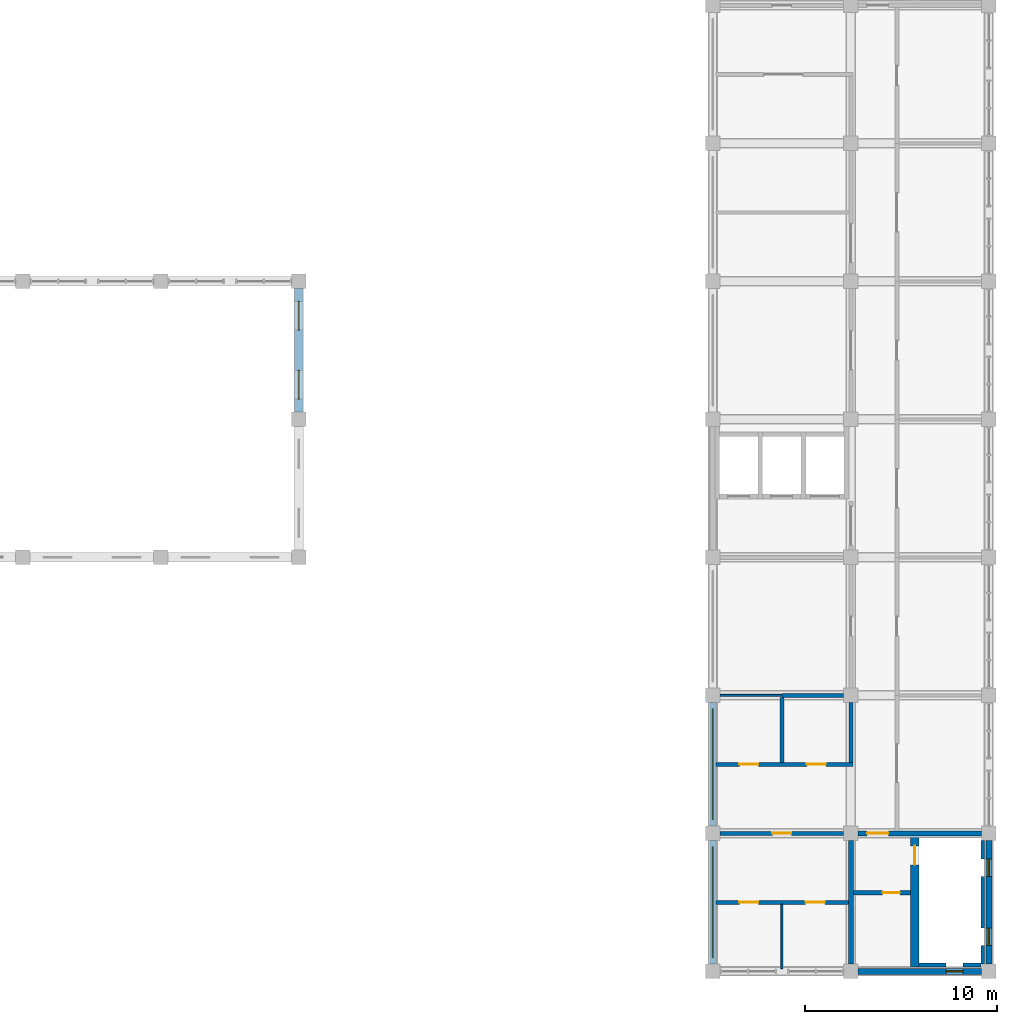
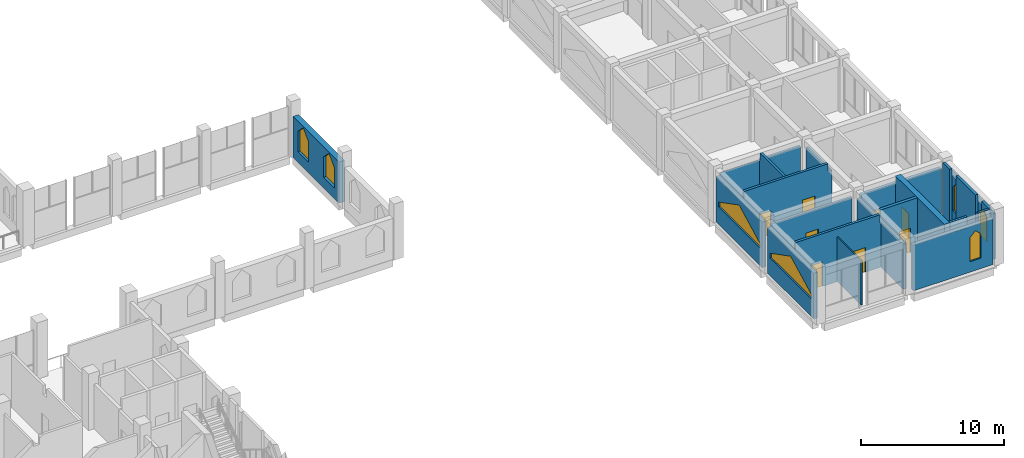
# One storey, part 33 of 39: 22 walls, 8 doors, 7 windows, 15 openings.
"""IFC4 building model written with IfcOpenShell, lengths in metres."""

from ifc_helpers import new_model, si_unit, direction, frame, frame_2d, origin, place, context, subcontext, project, spatial, polyline, rectangle, outline, extrude, material, layer, layer_set, type_object, element, fill, save


model = new_model("IFC4")

# Units and contexts
model_context = context("Model", 3, precision=1e-05, world=origin(), true_north=direction((0.0, 1.0)))
body_context = subcontext(model_context, "Body", "Model", "MODEL_VIEW")
ifc_project = project(units=[si_unit("LENGTHUNIT", "METRE"), si_unit("AREAUNIT", "SQUARE_METRE"), si_unit("VOLUMEUNIT", "CUBIC_METRE"), si_unit("PLANEANGLEUNIT", "RADIAN"), si_unit("MASSUNIT", "GRAM", prefix="KILO")], contexts=[model_context])

# Site, building, storey
site_placement = place(None, origin())
site = spatial("IfcSite", under=ifc_project, at=site_placement, CompositionType="ELEMENT")
building_placement = place(site_placement, origin())
building = spatial("IfcBuilding", under=site, at=building_placement, Name="Silangan Lancet Faculty of Sciences", CompositionType="ELEMENT")
storey_placement = place(building_placement, frame((0.0, 0.0, 26.39990234375)))
storey = spatial("IfcBuildingStorey", under=building, at=storey_placement, Name="L05", CompositionType="ELEMENT", Elevation=26.39990234375)

# Wall, opening, window
ifc_material_1 = material(Name="Concrete C40/50 precast", Category="concrete")
ifc_layer_1 = layer(ifc_material_1, 0.300048828125)
ifc_layer_set_1 = layer_set([ifc_layer_1], Name="Concrete C40/50 precast")
wall_type_1 = type_object("IfcWallType", Name="EW2 Turret enclosure wall", PredefinedType="STANDARD", material=ifc_layer_set_1)
wall_1_placement = place(storey_placement, frame((79.574951171875, 0.0, 0.0), z_axis=(0.0, 0.0, 1.0), x_axis=(1.0, 0.0, 0.0)))
wall_1 = element("IfcWall", 1, at=wall_1_placement, inside=storey, type_object=wall_type_1, Name="EW-L05-S-EB-01", PredefinedType="STANDARD", context=body_context, shape_type="SweptSolid", body=[
    extrude(rectangle(XDim=6.449951171875, YDim=0.300048828125, at=frame_2d((3.22509765625, 0.0))), origin(), (0.0, 0.0, 1.0), 3.900146484375),
])
opening_1_placement = place(wall_1_placement, frame((4.574951171875, 0.0, 0.89990234375)))
opening_1 = element("IfcOpeningElement", 2, at=opening_1_placement, cuts=wall_1, Name="Opening W11", PredefinedType="OPENING", context=body_context, shape_type="SweptSolid", body=[
    extrude(outline(polyline([(0.0, 0.0), (0.89990234375, 0.0), (0.89990234375, 2.050048828125), (0.449951171875, 2.5), (0.0, 2.050048828125), (0.0, 0.0)])), frame((0.0, 0.159912109375, 0.0), z_axis=(0.0, -1.0, 0.0), x_axis=(1.0, 0.0, 0.0)), (0.0, 0.0, 1.0), 0.320068359375),
])
ifc_material_2 = material(Name="Aluminium frame, laminated double glazing", Category="aluminium")
window_type_1 = type_object("IfcWindowType", Name="W11 Lancet window 900 x 2500", PartitioningType="SINGLE_PANEL", PredefinedType="WINDOW", material=ifc_material_2)
window_1_placement = place(opening_1_placement, origin())
window_1 = element("IfcWindow", 3, at=window_1_placement, inside=storey, type_object=window_type_1, Name="WIN-L05-S-EB-01b", OverallHeight=2.5, OverallWidth=0.89990234375, PartitioningType="SINGLE_PANEL", PredefinedType="WINDOW", context=body_context, shape_type="SweptSolid", body=[
    extrude(outline(polyline([(0.0, 0.0), (0.89990234375, 0.0), (0.89990234375, 2.050048828125), (0.449951171875, 2.5), (0.0, 2.050048828125), (0.0, 0.0)])), frame((0.0, 0.030029296875, 0.0), z_axis=(0.0, -1.0, 0.0), x_axis=(1.0, 0.0, 0.0)), (0.0, 0.0, 1.0), 0.06005859375),
])
fill(opening_1, window_1)

# Wall, openings, windows
wall_2_placement = place(storey_placement, frame((86.39990234375, 0.375, 0.0), z_axis=(0.0, 0.0, 1.0), x_axis=(0.0, 1.0, 0.0)))
wall_2 = element("IfcWall", 4, at=wall_2_placement, inside=storey, type_object=wall_type_1, Name="EW-L05-E-EB-00", PredefinedType="STANDARD", context=body_context, shape_type="SweptSolid", body=[
    extrude(rectangle(XDim=6.449951171875, YDim=0.300048828125, at=frame_2d((3.22509765625, 0.0))), origin(), (0.0, 0.0, 1.0), 3.900146484375),
])
opening_2_placement = place(wall_2_placement, frame((0.97509765625, 0.0, 0.89990234375)))
opening_2 = element("IfcOpeningElement", 5, at=opening_2_placement, cuts=wall_2, Name="Opening W11", PredefinedType="OPENING", context=body_context, shape_type="SweptSolid", body=[
    extrude(outline(polyline([(0.0, 0.0), (0.89990234375, 0.0), (0.89990234375, 2.050048828125), (0.449951171875, 2.5), (0.0, 2.050048828125), (0.0, 0.0)])), frame((0.0, 0.159912109375, 0.0), z_axis=(0.0, -1.0, 0.0), x_axis=(1.0, 0.0, 0.0)), (0.0, 0.0, 1.0), 0.320068359375),
])
opening_3_placement = place(wall_2_placement, frame((4.574951171875, 0.0, 0.89990234375)))
opening_3 = element("IfcOpeningElement", 6, at=opening_3_placement, cuts=wall_2, Name="Opening W11", PredefinedType="OPENING", context=body_context, shape_type="SweptSolid", body=[
    extrude(outline(polyline([(0.0, 0.0), (0.89990234375, 0.0), (0.89990234375, 2.050048828125), (0.449951171875, 2.5), (0.0, 2.050048828125), (0.0, 0.0)])), frame((0.0, 0.159912109375, 0.0), z_axis=(0.0, -1.0, 0.0), x_axis=(1.0, 0.0, 0.0)), (0.0, 0.0, 1.0), 0.320068359375),
])
window_2_placement = place(opening_2_placement, origin())
window_2 = element("IfcWindow", 7, at=window_2_placement, inside=storey, type_object=window_type_1, Name="WIN-L05-E-EB-00a", OverallHeight=2.5, OverallWidth=0.89990234375, PartitioningType="SINGLE_PANEL", PredefinedType="WINDOW", context=body_context, shape_type="SweptSolid", body=[
    extrude(outline(polyline([(0.0, 0.0), (0.89990234375, 0.0), (0.89990234375, 2.050048828125), (0.449951171875, 2.5), (0.0, 2.050048828125), (0.0, 0.0)])), frame((0.0, 0.030029296875, 0.0), z_axis=(0.0, -1.0, 0.0), x_axis=(1.0, 0.0, 0.0)), (0.0, 0.0, 1.0), 0.06005859375),
])
fill(opening_2, window_2)
window_3_placement = place(opening_3_placement, origin())
window_3 = element("IfcWindow", 8, at=window_3_placement, inside=storey, type_object=window_type_1, Name="WIN-L05-E-EB-00b", OverallHeight=2.5, OverallWidth=0.89990234375, PartitioningType="SINGLE_PANEL", PredefinedType="WINDOW", context=body_context, shape_type="SweptSolid", body=[
    extrude(outline(polyline([(0.0, 0.0), (0.89990234375, 0.0), (0.89990234375, 2.050048828125), (0.449951171875, 2.5), (0.0, 2.050048828125), (0.0, 0.0)])), frame((0.0, 0.030029296875, 0.0), z_axis=(0.0, -1.0, 0.0), x_axis=(1.0, 0.0, 0.0)), (0.0, 0.0, 1.0), 0.06005859375),
])
fill(opening_3, window_3)

# Wall, opening, window
ifc_material_3 = material(Name="Concrete C40/50", Category="concrete")
ifc_layer_2 = layer(ifc_material_3, 0.300048828125)
ifc_layer_set_2 = layer_set([ifc_layer_2], Name="Concrete C40/50")
wall_type_2 = type_object("IfcWallType", Name="EW7 Rendered attic wall", PredefinedType="STANDARD", material=ifc_layer_set_2)
wall_3_placement = place(storey_placement, frame((72.0, 0.375, 0.0), z_axis=(0.0, 0.0, 1.0), x_axis=(0.0, 1.0, 0.0)))
wall_3 = element("IfcWall", 9, at=wall_3_placement, inside=storey, type_object=wall_type_2, Name="EW-L05-W-EB-00", PredefinedType="STANDARD", context=body_context, shape_type="SweptSolid", body=[
    extrude(rectangle(XDim=6.449951171875, YDim=0.300048828125, at=frame_2d((3.22509765625, 0.0))), origin(), (0.0, 0.0, 1.0), 3.900146484375),
])
opening_4_placement = place(wall_3_placement, frame((0.324951171875, 0.0, 1.5)))
opening_4 = element("IfcOpeningElement", 10, at=opening_4_placement, cuts=wall_3, Name="Opening W16", PredefinedType="OPENING", context=body_context, shape_type="SweptSolid", body=[
    extrude(outline(polyline([(0.0, 0.0), (5.800048828125, 0.0), (5.800048828125, 0.39990234375), (2.89990234375, 1.89990234375), (0.0, 0.39990234375), (0.0, 0.0)])), frame((0.0, 0.159912109375, 0.0), z_axis=(0.0, -1.0, 0.0), x_axis=(1.0, 0.0, 0.0)), (0.0, 0.0, 1.0), 0.320068359375),
])
ifc_material_4 = material(Name="Aluminium frame, laminated double glazing", Category="aluminium")
window_type_2 = type_object("IfcWindowType", Name="W16 Traceried bay window 5800 x 1900 on a 1500 sill", PartitioningType="TRIPLE_PANEL_VERTICAL", PredefinedType="WINDOW", material=ifc_material_4)
window_4_placement = place(opening_4_placement, origin())
window_4 = element("IfcWindow", 11, at=window_4_placement, inside=storey, type_object=window_type_2, Name="WIN-L05-W-EB-00a", OverallHeight=1.89990234375, OverallWidth=5.800048828125, PartitioningType="TRIPLE_PANEL_VERTICAL", PredefinedType="WINDOW", context=body_context, shape_type="SweptSolid", body=[
    extrude(outline(polyline([(0.0, 0.0), (5.800048828125, 0.0), (5.800048828125, 0.39990234375), (2.89990234375, 1.89990234375), (0.0, 0.39990234375), (0.0, 0.0)])), frame((0.0, 0.030029296875, 0.0), z_axis=(0.0, -1.0, 0.0), x_axis=(1.0, 0.0, 0.0)), (0.0, 0.0, 1.0), 0.06005859375),
])
fill(opening_4, window_4)

wall_4_placement = place(storey_placement, frame((72.0, 7.574951171875, 0.0), z_axis=(0.0, 0.0, 1.0), x_axis=(0.0, 1.0, 0.0)))
wall_4 = element("IfcWall", 12, at=wall_4_placement, inside=storey, type_object=wall_type_2, Name="EW-L05-W-EB-01", PredefinedType="STANDARD", context=body_context, shape_type="SweptSolid", body=[
    extrude(rectangle(XDim=6.449951171875, YDim=0.300048828125, at=frame_2d((3.22509765625, 0.0))), origin(), (0.0, 0.0, 1.0), 3.900146484375),
])
opening_5_placement = place(wall_4_placement, frame((0.324951171875, 0.0, 1.5)))
opening_5 = element("IfcOpeningElement", 13, at=opening_5_placement, cuts=wall_4, Name="Opening W16", PredefinedType="OPENING", context=body_context, shape_type="SweptSolid", body=[
    extrude(outline(polyline([(0.0, 0.0), (5.800048828125, 0.0), (5.800048828125, 0.39990234375), (2.89990234375, 1.89990234375), (0.0, 0.39990234375), (0.0, 0.0)])), frame((0.0, 0.159912109375, 0.0), z_axis=(0.0, -1.0, 0.0), x_axis=(1.0, 0.0, 0.0)), (0.0, 0.0, 1.0), 0.320068359375),
])
window_5_placement = place(opening_5_placement, origin())
window_5 = element("IfcWindow", 14, at=window_5_placement, inside=storey, type_object=window_type_2, Name="WIN-L05-W-EB-01a", OverallHeight=1.89990234375, OverallWidth=5.800048828125, PartitioningType="TRIPLE_PANEL_VERTICAL", PredefinedType="WINDOW", context=body_context, shape_type="SweptSolid", body=[
    extrude(outline(polyline([(0.0, 0.0), (5.800048828125, 0.0), (5.800048828125, 0.39990234375), (2.89990234375, 1.89990234375), (0.0, 0.39990234375), (0.0, 0.0)])), frame((0.0, 0.030029296875, 0.0), z_axis=(0.0, -1.0, 0.0), x_axis=(1.0, 0.0, 0.0)), (0.0, 0.0, 1.0), 0.06005859375),
])
fill(opening_5, window_5)

# Wall, openings, windows
ifc_material_5 = material(Name="Concrete C40/50", Category="concrete")
ifc_layer_3 = layer(ifc_material_5, 0.449951171875)
ifc_layer_set_3 = layer_set([ifc_layer_3], Name="Concrete C40/50")
wall_type_3 = type_object("IfcWallType", Name="EW8 Clerestory wall with deep reveals", PredefinedType="STANDARD", material=ifc_layer_set_3)
wall_5_placement = place(storey_placement, frame((50.39990234375, 29.175048828125, 0.0), z_axis=(0.0, 0.0, 1.0), x_axis=(0.0, 1.0, 0.0)))
wall_5 = element("IfcWall", 15, at=wall_5_placement, inside=storey, type_object=wall_type_3, Name="EW-L05-E-NAVE-01", PredefinedType="STANDARD", context=body_context, shape_type="SweptSolid", body=[
    extrude(rectangle(XDim=6.449951171875, YDim=0.449951171875, at=frame_2d((3.22509765625, 0.0))), origin(), (0.0, 0.0, 1.0), 3.5),
])
opening_6_placement = place(wall_5_placement, frame((0.675048828125, 0.0, 0.89990234375)))
opening_6 = element("IfcOpeningElement", 16, at=opening_6_placement, cuts=wall_5, Name="Opening W12", PredefinedType="OPENING", context=body_context, shape_type="SweptSolid", body=[
    extrude(outline(polyline([(0.0, 0.0), (1.5, 0.0), (1.5, 1.75), (0.75, 2.5), (0.0, 1.75), (0.0, 0.0)])), frame((0.0, 0.23486328125, 0.0), z_axis=(0.0, -1.0, 0.0), x_axis=(1.0, 0.0, 0.0)), (0.0, 0.0, 1.0), 0.469970703125),
])
opening_7_placement = place(wall_5_placement, frame((4.27490234375, 0.0, 0.89990234375)))
opening_7 = element("IfcOpeningElement", 17, at=opening_7_placement, cuts=wall_5, Name="Opening W13", PredefinedType="OPENING", context=body_context, shape_type="SweptSolid", body=[
    extrude(outline(polyline([(0.0, 0.0), (1.5, 0.0), (1.5, 1.75), (0.75, 2.5), (0.0, 1.75), (0.0, 0.0)])), frame((0.0, 0.23486328125, 0.0), z_axis=(0.0, -1.0, 0.0), x_axis=(1.0, 0.0, 0.0)), (0.0, 0.0, 1.0), 0.469970703125),
])
ifc_material_6 = material(Name="Aluminium frame, laminated double glazing", Category="aluminium")
window_type_3 = type_object("IfcWindowType", Name="W12 Lancet window 1500 x 2500", PartitioningType="SINGLE_PANEL", PredefinedType="WINDOW", material=ifc_material_6)
window_6_placement = place(opening_6_placement, origin())
window_6 = element("IfcWindow", 18, at=window_6_placement, inside=storey, type_object=window_type_3, Name="WIN-L05-E-NAVE-01a", OverallHeight=2.5, OverallWidth=1.5, PartitioningType="SINGLE_PANEL", PredefinedType="WINDOW", context=body_context, shape_type="SweptSolid", body=[
    extrude(outline(polyline([(0.0, 0.0), (1.5, 0.0), (1.5, 1.75), (0.75, 2.5), (0.0, 1.75), (0.0, 0.0)])), frame((0.0, 0.030029296875, 0.0), z_axis=(0.0, -1.0, 0.0), x_axis=(1.0, 0.0, 0.0)), (0.0, 0.0, 1.0), 0.06005859375),
])
fill(opening_6, window_6)
ifc_material_7 = material(Name="Aluminium storm louvre blades", Category="aluminium")
window_type_4 = type_object("IfcWindowType", Name="W13 Storm louvre lancet 1500 x 2500", PartitioningType="SINGLE_PANEL", PredefinedType="WINDOW", material=ifc_material_7)
window_7_placement = place(opening_7_placement, origin())
window_7 = element("IfcWindow", 19, at=window_7_placement, inside=storey, type_object=window_type_4, Name="WIN-L05-E-NAVE-01b", OverallHeight=2.5, OverallWidth=1.5, PartitioningType="SINGLE_PANEL", PredefinedType="WINDOW", context=body_context, shape_type="SweptSolid", body=[
    extrude(outline(polyline([(0.0, 0.0), (1.5, 0.0), (1.5, 1.75), (0.75, 2.5), (0.0, 1.75), (0.0, 0.0)])), frame((0.0, 0.030029296875, 0.0), z_axis=(0.0, -1.0, 0.0), x_axis=(1.0, 0.0, 0.0)), (0.0, 0.0, 1.0), 0.06005859375),
])
fill(opening_7, window_7)

# Wall, openings, doors
ifc_material_8 = material(Name="Hollow block masonry fm 7 MPa", Category="masonry")
ifc_layer_4 = layer(ifc_material_8, 0.199951171875)
ifc_layer_set_4 = layer_set([ifc_layer_4], Name="Hollow block masonry fm 7 MPa")
wall_type_4 = type_object("IfcWallType", Name="Interior wall PW1 Corridor wall CHB 200", PredefinedType="PARTITIONING", material=ifc_layer_set_4)
wall_6_placement = place(storey_placement, frame((72.14990234375, 3.60009765625, 0.0), z_axis=(0.0, 0.0, 1.0), x_axis=(1.0, 0.0, 0.0)))
wall_6 = element("IfcWall", 20, at=wall_6_placement, inside=storey, type_object=wall_type_4, Name="Corridor wall CHB 200", PredefinedType="PARTITIONING", context=body_context, shape_type="SweptSolid", body=[
    extrude(outline(polyline([(0.0, 0.0), (6.925048828125, 0.0), (6.925048828125, 3.85009765625), (6.8251953125, 3.85009765625), (6.8251953125, 4.5), (0.050048828125, 4.5), (0.050048828125, 3.900146484375), (0.0, 3.900146484375), (0.0, 0.0)])), frame((0.0, 0.10009765625, 0.0), z_axis=(0.0, -1.0, 0.0), x_axis=(1.0, 0.0, 0.0)), (0.0, 0.0, 1.0), 0.199951171875),
])
opening_8_placement = place(wall_6_placement, frame((1.22509765625, 0.0, 0.0)))
opening_8 = element("IfcOpeningElement", 21, at=opening_8_placement, cuts=wall_6, Name="Opening L05-033", PredefinedType="OPENING", context=body_context, shape_type="SweptSolid", body=[
    extrude(rectangle(XDim=1.0, YDim=2.10009765625, at=frame_2d((0.5, 1.050048828125))), frame((0.0, 0.10986328125, 0.0), z_axis=(0.0, -1.0, 0.0), x_axis=(1.0, 0.0, 0.0)), (0.0, 0.0, 1.0), 0.219970703125),
])
opening_9_placement = place(wall_6_placement, frame((4.6875, 0.0, 0.0)))
opening_9 = element("IfcOpeningElement", 22, at=opening_9_placement, cuts=wall_6, Name="Opening L05-034", PredefinedType="OPENING", context=body_context, shape_type="SweptSolid", body=[
    extrude(rectangle(XDim=1.0, YDim=2.10009765625, at=frame_2d((0.5, 1.050048828125))), frame((0.0, 0.10986328125, 0.0), z_axis=(0.0, -1.0, 0.0), x_axis=(1.0, 0.0, 0.0)), (0.0, 0.0, 1.0), 0.219970703125),
])
ifc_material_9 = material(Name="Steel fire door set", Category="steel")
door_type_1 = type_object("IfcDoorType", Name="Door D1 Single leaf fire door 1000 x 2100", OperationType="SINGLE_SWING_LEFT", PredefinedType="DOOR", material=ifc_material_9)
door_1_placement = place(opening_8_placement, frame((1.0, 0.0, 0.0), z_axis=(0.0, 0.0, 1.0), x_axis=(-1.0, 0.0, 0.0)))
door_1 = element("IfcDoor", 23, at=door_1_placement, inside=storey, type_object=door_type_1, Name="Single leaf fire door 1000 x 2100", OperationType="SINGLE_SWING_LEFT", OverallHeight=2.10009765625, OverallWidth=1.0, PredefinedType="DOOR", context=body_context, shape_type="SweptSolid", body=[
    extrude(rectangle(XDim=1.0, YDim=2.10009765625, at=frame_2d((0.5, 1.050048828125))), frame((0.0, 0.025146484375, 0.0), z_axis=(0.0, -1.0, 0.0), x_axis=(1.0, 0.0, 0.0)), (0.0, 0.0, 1.0), 0.050048828125),
])
fill(opening_8, door_1)
door_2_placement = place(opening_9_placement, frame((1.0, 0.0, 0.0), z_axis=(0.0, 0.0, 1.0), x_axis=(-1.0, 0.0, 0.0)))
door_2 = element("IfcDoor", 24, at=door_2_placement, inside=storey, type_object=door_type_1, Name="Single leaf fire door 1000 x 2100", OperationType="SINGLE_SWING_RIGHT", OverallHeight=2.10009765625, OverallWidth=1.0, PredefinedType="DOOR", context=body_context, shape_type="SweptSolid", body=[
    extrude(rectangle(XDim=1.0, YDim=2.10009765625, at=frame_2d((0.5, 1.050048828125))), frame((0.0, 0.025146484375, 0.0), z_axis=(0.0, -1.0, 0.0), x_axis=(1.0, 0.0, 0.0)), (0.0, 0.0, 1.0), 0.050048828125),
])
fill(opening_9, door_2)

# Wall, opening, door
wall_7_placement = place(storey_placement, frame((72.375, 7.199951171875, 0.0), z_axis=(0.0, 0.0, 1.0), x_axis=(1.0, 0.0, 0.0)))
wall_7 = element("IfcWall", 25, at=wall_7_placement, inside=storey, type_object=wall_type_4, Name="Corridor wall CHB 200", PredefinedType="PARTITIONING", context=body_context, shape_type="SweptSolid", body=[
    extrude(rectangle(XDim=6.449951171875, YDim=0.199951171875, at=frame_2d((3.22509765625, 0.0))), origin(), (0.0, 0.0, 1.0), 3.85009765625),
])
opening_10_placement = place(wall_7_placement, frame((2.72509765625, 0.0, 0.0)))
opening_10 = element("IfcOpeningElement", 26, at=opening_10_placement, cuts=wall_7, Name="Opening L05-008", PredefinedType="OPENING", context=body_context, shape_type="SweptSolid", body=[
    extrude(rectangle(XDim=1.0, YDim=2.10009765625, at=frame_2d((0.5, 1.050048828125))), frame((0.0, 0.10986328125, 0.0), z_axis=(0.0, -1.0, 0.0), x_axis=(1.0, 0.0, 0.0)), (0.0, 0.0, 1.0), 0.219970703125),
])
door_3_placement = place(opening_10_placement, frame((1.0, 0.0, 0.0), z_axis=(0.0, 0.0, 1.0), x_axis=(-1.0, 0.0, 0.0)))
door_3 = element("IfcDoor", 27, at=door_3_placement, inside=storey, type_object=door_type_1, Name="Single leaf fire door 1000 x 2100", OperationType="SINGLE_SWING_RIGHT", OverallHeight=2.10009765625, OverallWidth=1.0, PredefinedType="DOOR", context=body_context, shape_type="SweptSolid", body=[
    extrude(rectangle(XDim=1.0, YDim=2.10009765625, at=frame_2d((0.5, 1.050048828125))), frame((0.0, 0.025146484375, 0.0), z_axis=(0.0, -1.0, 0.0), x_axis=(1.0, 0.0, 0.0)), (0.0, 0.0, 1.0), 0.050048828125),
])
fill(opening_10, door_3)

# Wall, openings, doors
wall_8_placement = place(storey_placement, frame((72.14990234375, 10.800048828125, 0.0), z_axis=(0.0, 0.0, 1.0), x_axis=(1.0, 0.0, 0.0)))
wall_8 = element("IfcWall", 28, at=wall_8_placement, inside=storey, type_object=wall_type_4, Name="Corridor wall CHB 200", PredefinedType="PARTITIONING", context=body_context, shape_type="SweptSolid", body=[
    extrude(outline(polyline([(0.0, 0.0), (7.150146484375, 0.0), (7.150146484375, 3.85009765625), (6.8251953125, 3.85009765625), (6.8251953125, 4.5), (0.050048828125, 4.5), (0.050048828125, 3.900146484375), (0.0, 3.900146484375), (0.0, 0.0)])), frame((0.0, 0.10009765625, 0.0), z_axis=(0.0, -1.0, 0.0), x_axis=(1.0, 0.0, 0.0)), (0.0, 0.0, 1.0), 0.199951171875),
])
opening_11_placement = place(wall_8_placement, frame((1.22509765625, 0.0, 0.0)))
opening_11 = element("IfcOpeningElement", 29, at=opening_11_placement, cuts=wall_8, Name="Opening L05-035", PredefinedType="OPENING", context=body_context, shape_type="SweptSolid", body=[
    extrude(rectangle(XDim=1.0, YDim=2.10009765625, at=frame_2d((0.5, 1.050048828125))), frame((0.0, 0.10986328125, 0.0), z_axis=(0.0, -1.0, 0.0), x_axis=(1.0, 0.0, 0.0)), (0.0, 0.0, 1.0), 0.219970703125),
])
opening_12_placement = place(wall_8_placement, frame((4.75, 0.0, 0.0)))
opening_12 = element("IfcOpeningElement", 30, at=opening_12_placement, cuts=wall_8, Name="Opening L05-036", PredefinedType="OPENING", context=body_context, shape_type="SweptSolid", body=[
    extrude(rectangle(XDim=1.0, YDim=2.10009765625, at=frame_2d((0.5, 1.050048828125))), frame((0.0, 0.10986328125, 0.0), z_axis=(0.0, -1.0, 0.0), x_axis=(1.0, 0.0, 0.0)), (0.0, 0.0, 1.0), 0.219970703125),
])
door_4_placement = place(opening_11_placement, origin())
door_4 = element("IfcDoor", 31, at=door_4_placement, inside=storey, type_object=door_type_1, Name="Single leaf fire door 1000 x 2100", OperationType="SINGLE_SWING_RIGHT", OverallHeight=2.10009765625, OverallWidth=1.0, PredefinedType="DOOR", context=body_context, shape_type="SweptSolid", body=[
    extrude(rectangle(XDim=1.0, YDim=2.10009765625, at=frame_2d((0.5, 1.050048828125))), frame((0.0, 0.02490234375, 0.0), z_axis=(0.0, -1.0, 0.0), x_axis=(1.0, 0.0, 0.0)), (0.0, 0.0, 1.0), 0.050048828125),
])
fill(opening_11, door_4)
door_5_placement = place(opening_12_placement, origin())
door_5 = element("IfcDoor", 32, at=door_5_placement, inside=storey, type_object=door_type_1, Name="Single leaf fire door 1000 x 2100", OperationType="SINGLE_SWING_LEFT", OverallHeight=2.10009765625, OverallWidth=1.0, PredefinedType="DOOR", context=body_context, shape_type="SweptSolid", body=[
    extrude(rectangle(XDim=1.0, YDim=2.10009765625, at=frame_2d((0.5, 1.050048828125))), frame((0.0, 0.02490234375, 0.0), z_axis=(0.0, -1.0, 0.0), x_axis=(1.0, 0.0, 0.0)), (0.0, 0.0, 1.0), 0.050048828125),
])
fill(opening_12, door_5)

# Walls
wall_9_placement = place(storey_placement, frame((79.199951171875, 10.89990234375, 0.0), z_axis=(0.0, 0.0, 1.0), x_axis=(0.0, 1.0, 0.0)))
element("IfcWall", 33, at=wall_9_placement, inside=storey, type_object=wall_type_4, Name="Corridor wall CHB 200", PredefinedType="PARTITIONING", context=body_context, shape_type="SweptSolid", body=[
    extrude(rectangle(XDim=3.125, YDim=0.199951171875, at=frame_2d((1.5625, 0.0))), origin(), (0.0, 0.0, 1.0), 3.85009765625),
])
ifc_material_10 = material(Name="Hollow block masonry fm 7 MPa", Category="masonry")
ifc_layer_5 = layer(ifc_material_10, 0.199951171875)
ifc_layer_set_5 = layer_set([ifc_layer_5], Name="Hollow block masonry fm 7 MPa")
wall_type_5 = type_object("IfcWallType", Name="Interior wall PW4 Laboratory separation CHB 200", PredefinedType="PARTITIONING", material=ifc_layer_set_5)
wall_10_placement = place(storey_placement, frame((75.60009765625, 14.39990234375, 0.0), z_axis=(0.0, 0.0, 1.0), x_axis=(1.0, 0.0, 0.0)))
element("IfcWall", 34, at=wall_10_placement, inside=storey, type_object=wall_type_5, Name="Laboratory separation CHB 200", PredefinedType="PARTITIONING", context=body_context, shape_type="SweptSolid", body=[
    extrude(rectangle(XDim=3.224853515625, YDim=0.199951171875, at=frame_2d((1.6123046875, 0.0))), origin(), (0.0, 0.0, 1.0), 3.85009765625),
])
wall_11_placement = place(storey_placement, frame((75.60009765625, 10.89990234375, 0.0), z_axis=(0.0, 0.0, 1.0), x_axis=(0.0, 1.0, 0.0)))
element("IfcWall", 35, at=wall_11_placement, inside=storey, type_object=wall_type_5, Name="Laboratory separation CHB 200", PredefinedType="PARTITIONING", context=body_context, shape_type="SweptSolid", body=[
    extrude(outline(polyline([(0.0, 0.0), (3.400146484375, 0.0), (3.400146484375, 3.85009765625), (3.275146484375, 3.85009765625), (3.275146484375, 4.5), (0.0, 4.5), (0.0, 0.0)])), frame((0.0, 0.10009765625, 0.0), z_axis=(0.0, -1.0, 0.0), x_axis=(1.0, 0.0, 0.0)), (0.0, 0.0, 1.0), 0.199951171875),
])
ifc_material_11 = material(Name="Hollow block masonry fm 7 MPa", Category="masonry")
ifc_layer_6 = layer(ifc_material_11, 0.10009765625)
ifc_layer_set_6 = layer_set([ifc_layer_6], Name="Hollow block masonry fm 7 MPa")
wall_type_6 = type_object("IfcWallType", Name="Interior wall PW8 WC partition CHB 100", PredefinedType="PARTITIONING", material=ifc_layer_set_6)
wall_12_placement = place(storey_placement, frame((72.375, 14.39990234375, 0.0), z_axis=(0.0, 0.0, 1.0), x_axis=(1.0, 0.0, 0.0)))
element("IfcWall", 36, at=wall_12_placement, inside=storey, type_object=wall_type_6, Name="WC partition CHB 100", PredefinedType="PARTITIONING", context=body_context, shape_type="SweptSolid", body=[
    extrude(rectangle(XDim=3.22509765625, YDim=0.10009765625, at=frame_2d((1.612548828125, 0.0))), origin(), (0.0, 0.0, 1.0), 3.800048828125),
])
wall_13_placement = place(storey_placement, frame((75.60009765625, 0.14990234375, 0.0), z_axis=(0.0, 0.0, 1.0), x_axis=(0.0, 1.0, 0.0)))
element("IfcWall", 37, at=wall_13_placement, inside=storey, type_object=wall_type_6, Name="WC partition CHB 100", PredefinedType="PARTITIONING", context=body_context, shape_type="SweptSolid", body=[
    extrude(rectangle(XDim=3.35009765625, YDim=0.10009765625, at=frame_2d((1.675048828125, 0.0))), origin(), (0.0, 0.0, 1.0), 3.800048828125),
])

# Wall, opening, door
ifc_material_12 = material(Name="Concrete C40/50", Category="concrete")
ifc_layer_7 = layer(ifc_material_12, 0.449951171875)
ifc_layer_set_7 = layer_set([ifc_layer_7], Name="Concrete C40/50")
wall_type_7 = type_object("IfcWallType", Name="TURRET CORE WALL RC 450", PredefinedType="SHEAR", material=ifc_layer_set_7)
wall_14_placement = place(storey_placement, frame((82.52490234375, 0.22509765625, 0.0), z_axis=(0.0, 0.0, 1.0), x_axis=(0.0, 1.0, 0.0)))
wall_14 = element("IfcWall", 38, at=wall_14_placement, inside=storey, type_object=wall_type_7, Name="WALL-L05-EB-A-WELL", PredefinedType="SHEAR", context=body_context, shape_type="SweptSolid", body=[
    extrude(rectangle(XDim=6.849853515625, YDim=0.449951171875, at=frame_2d((3.4248046875, 0.0))), origin(), (0.0, 0.0, 1.0), 4.5),
])
opening_13_placement = place(wall_14_placement, frame((5.324951171875, 0.0, 0.0)))
opening_13 = element("IfcOpeningElement", 39, at=opening_13_placement, cuts=wall_14, Name="Opening L05-701", PredefinedType="OPENING", context=body_context, shape_type="SweptSolid", body=[
    extrude(rectangle(XDim=1.0, YDim=2.10009765625, at=frame_2d((0.5, 1.050048828125))), frame((0.0, 0.23486328125, 0.0), z_axis=(0.0, -1.0, 0.0), x_axis=(1.0, 0.0, 0.0)), (0.0, 0.0, 1.0), 0.469970703125),
])
ifc_material_13 = material(Name="Steel fire door set", Category="steel")
door_type_2 = type_object("IfcDoorType", Name="D71 Stair enclosure door 1000x2100", OperationType="SINGLE_SWING_LEFT", PredefinedType="DOOR", material=ifc_material_13)
door_6_placement = place(opening_13_placement, frame((1.0, 0.0, 0.0), z_axis=(0.0, 0.0, 1.0), x_axis=(-1.0, 0.0, 0.0)))
door_6 = element("IfcDoor", 40, at=door_6_placement, inside=storey, type_object=door_type_2, Name="Stair enclosure door EB-A L05", OperationType="SINGLE_SWING_LEFT", OverallHeight=2.10009765625, OverallWidth=1.0, PredefinedType="DOOR", context=body_context, shape_type="SweptSolid", body=[
    extrude(rectangle(XDim=1.0, YDim=2.10009765625, at=frame_2d((0.5, 1.050048828125))), frame((0.0, 0.025146484375, 0.0), z_axis=(0.0, -1.0, 0.0), x_axis=(1.0, 0.0, 0.0)), (0.0, 0.0, 1.0), 0.050048828125),
])
fill(opening_13, door_6)

# Walls
ifc_material_14 = material(Name="Concrete C40/50", Category="concrete")
ifc_layer_8 = layer(ifc_material_14, 0.199951171875)
ifc_layer_set_8 = layer_set([ifc_layer_8], Name="Concrete C40/50")
wall_type_8 = type_object("IfcWallType", Name="TURRET LINING WALL RC 200", PredefinedType="SHEAR", material=ifc_layer_set_8)
wall_15_placement = place(storey_placement, frame((86.074951171875, 0.375, -0.25), z_axis=(0.0, 0.0, 1.0), x_axis=(0.0, 1.0, 0.0)))
element("IfcWall", 41, at=wall_15_placement, inside=storey, type_object=wall_type_8, Name="WALL-L05-EB-A-WL", PredefinedType="SHEAR", context=body_context, shape_type="SweptSolid", body=[
    extrude(rectangle(XDim=0.97509765625, YDim=0.199951171875, at=frame_2d((0.487548828125, 0.0))), origin(), (0.0, 0.0, 1.0), 4.75),
])
wall_16_placement = place(storey_placement, frame((86.074951171875, 2.25, -0.25), z_axis=(0.0, 0.0, 1.0), x_axis=(0.0, 1.0, 0.0)))
element("IfcWall", 42, at=wall_16_placement, inside=storey, type_object=wall_type_8, Name="WALL-L05-EB-A-WL-2", PredefinedType="SHEAR", context=body_context, shape_type="SweptSolid", body=[
    extrude(rectangle(XDim=2.699951171875, YDim=0.199951171875, at=frame_2d((1.35009765625, 0.0))), origin(), (0.0, 0.0, 1.0), 4.75),
])
wall_17_placement = place(storey_placement, frame((86.074951171875, 5.85009765625, -0.25), z_axis=(0.0, 0.0, 1.0), x_axis=(0.0, 1.0, 0.0)))
element("IfcWall", 43, at=wall_17_placement, inside=storey, type_object=wall_type_8, Name="WALL-L05-EB-A-WL-3", PredefinedType="SHEAR", context=body_context, shape_type="SweptSolid", body=[
    extrude(rectangle(XDim=0.974853515625, YDim=0.199951171875, at=frame_2d((0.4873046875, 0.0))), origin(), (0.0, 0.0, 1.0), 4.75),
])
wall_18_placement = place(storey_placement, frame((82.75, 0.324951171875, -0.25), z_axis=(0.0, 0.0, 1.0), x_axis=(1.0, 0.0, 0.0)))
element("IfcWall", 44, at=wall_18_placement, inside=storey, type_object=wall_type_8, Name="WALL-L05-EB-A-WLD", PredefinedType="SHEAR", context=body_context, shape_type="SweptSolid", body=[
    extrude(rectangle(XDim=1.39990234375, YDim=0.199951171875, at=frame_2d((0.699951171875, 0.0))), origin(), (0.0, 0.0, 1.0), 4.75),
])
wall_19_placement = place(storey_placement, frame((85.050048828125, 0.324951171875, -0.25), z_axis=(0.0, 0.0, 1.0), x_axis=(1.0, 0.0, 0.0)))
element("IfcWall", 45, at=wall_19_placement, inside=storey, type_object=wall_type_8, Name="WALL-L05-EB-A-WLD-2", PredefinedType="SHEAR", context=body_context, shape_type="SweptSolid", body=[
    extrude(rectangle(XDim=0.925048828125, YDim=0.199951171875, at=frame_2d((0.46240234375, 0.0))), origin(), (0.0, 0.0, 1.0), 4.75),
])

# Wall, opening, door
ifc_material_15 = material(Name="Concrete C40/50", Category="concrete")
ifc_layer_9 = layer(ifc_material_15, 0.25)
ifc_layer_set_9 = layer_set([ifc_layer_9], Name="Concrete C40/50")
wall_type_9 = type_object("IfcWallType", Name="TURRET WALL RC 250", PredefinedType="SHEAR", material=ifc_layer_set_9)
wall_20_placement = place(storey_placement, frame((79.574951171875, 7.199951171875, 0.0), z_axis=(0.0, 0.0, 1.0), x_axis=(1.0, 0.0, 0.0)))
wall_20 = element("IfcWall", 46, at=wall_20_placement, inside=storey, type_object=wall_type_9, Name="WALL-L05-EB-A-V", PredefinedType="SHEAR", context=body_context, shape_type="SweptSolid", body=[
    extrude(rectangle(XDim=6.449951171875, YDim=0.25, at=frame_2d((3.22509765625, 0.0))), origin(), (0.0, 0.0, 1.0), 3.85009765625),
])
opening_14_placement = place(wall_20_placement, frame((0.47509765625, 0.0, 0.0)))
opening_14 = element("IfcOpeningElement", 47, at=opening_14_placement, cuts=wall_20, Name="Opening L05-702", PredefinedType="OPENING", context=body_context, shape_type="SweptSolid", body=[
    extrude(rectangle(XDim=1.10009765625, YDim=2.10009765625, at=frame_2d((0.550048828125, 1.050048828125))), frame((0.0, 0.135009765625, 0.0), z_axis=(0.0, -1.0, 0.0), x_axis=(1.0, 0.0, 0.0)), (0.0, 0.0, 1.0), 0.27001953125),
])
ifc_material_16 = material(Name="Steel fire door set", Category="steel")
door_type_3 = type_object("IfcDoorType", Name="D70 Stair vestibule door 1100x2100", OperationType="SINGLE_SWING_LEFT", PredefinedType="DOOR", material=ifc_material_16)
door_7_placement = place(opening_14_placement, frame((1.10009765625, 0.0, 0.0), z_axis=(0.0, 0.0, 1.0), x_axis=(-1.0, 0.0, 0.0)))
door_7 = element("IfcDoor", 48, at=door_7_placement, inside=storey, type_object=door_type_3, Name="Stair vestibule door EB-A L05", OperationType="SINGLE_SWING_RIGHT", OverallHeight=2.10009765625, OverallWidth=1.10009765625, PredefinedType="DOOR", context=body_context, shape_type="SweptSolid", body=[
    extrude(rectangle(XDim=1.10009765625, YDim=2.10009765625, at=frame_2d((0.550048828125, 1.050048828125))), frame((0.0, 0.025146484375, 0.0), z_axis=(0.0, -1.0, 0.0), x_axis=(1.0, 0.0, 0.0)), (0.0, 0.0, 1.0), 0.050048828125),
])
fill(opening_14, door_7)

# Wall
wall_21_placement = place(storey_placement, frame((79.199951171875, 0.375, 0.0), z_axis=(0.0, 0.0, 1.0), x_axis=(0.0, 1.0, 0.0)))
element("IfcWall", 49, at=wall_21_placement, inside=storey, type_object=wall_type_9, Name="WALL-L05-EB-A-O", PredefinedType="SHEAR", context=body_context, shape_type="SweptSolid", body=[
    extrude(rectangle(XDim=6.449951171875, YDim=0.25, at=frame_2d((3.22509765625, 0.0))), origin(), (0.0, 0.0, 1.0), 3.85009765625),
])

# Wall, opening, door
wall_22_placement = place(storey_placement, frame((79.324951171875, 4.10009765625, 0.0), z_axis=(0.0, 0.0, 1.0), x_axis=(1.0, 0.0, 0.0)))
wall_22 = element("IfcWall", 50, at=wall_22_placement, inside=storey, type_object=wall_type_9, Name="WALL-L05-EB-A-RISER", PredefinedType="SHEAR", context=body_context, shape_type="SweptSolid", body=[
    extrude(rectangle(XDim=2.97509765625, YDim=0.25, at=frame_2d((1.487548828125, 0.0))), origin(), (0.0, 0.0, 1.0), 4.5),
])
opening_15_placement = place(wall_22_placement, frame((1.52490234375, 0.0, 0.0)))
opening_15 = element("IfcOpeningElement", 51, at=opening_15_placement, cuts=wall_22, Name="Opening L05-703", PredefinedType="OPENING", context=body_context, shape_type="SweptSolid", body=[
    extrude(rectangle(XDim=0.89990234375, YDim=2.10009765625, at=frame_2d((0.449951171875, 1.050048828125))), frame((0.0, 0.135009765625, 0.0), z_axis=(0.0, -1.0, 0.0), x_axis=(1.0, 0.0, 0.0)), (0.0, 0.0, 1.0), 0.27001953125),
])
ifc_material_17 = material(Name="Steel fire door set", Category="steel")
door_type_4 = type_object("IfcDoorType", Name="D72 Riser access door 900x2100", OperationType="SINGLE_SWING_LEFT", PredefinedType="DOOR", material=ifc_material_17)
door_8_placement = place(opening_15_placement, frame((0.89990234375, 0.0, 0.0), z_axis=(0.0, 0.0, 1.0), x_axis=(-1.0, 0.0, 0.0)))
door_8 = element("IfcDoor", 52, at=door_8_placement, inside=storey, type_object=door_type_4, Name="Riser access door EB-A L05", OperationType="SINGLE_SWING_RIGHT", OverallHeight=2.10009765625, OverallWidth=0.89990234375, PredefinedType="DOOR", context=body_context, shape_type="SweptSolid", body=[
    extrude(rectangle(XDim=0.89990234375, YDim=2.10009765625, at=frame_2d((0.449951171875, 1.050048828125))), frame((0.0, 0.025146484375, 0.0), z_axis=(0.0, -1.0, 0.0), x_axis=(1.0, 0.0, 0.0)), (0.0, 0.0, 1.0), 0.050048828125),
])
fill(opening_15, door_8)

save(model, "model.ifc")
